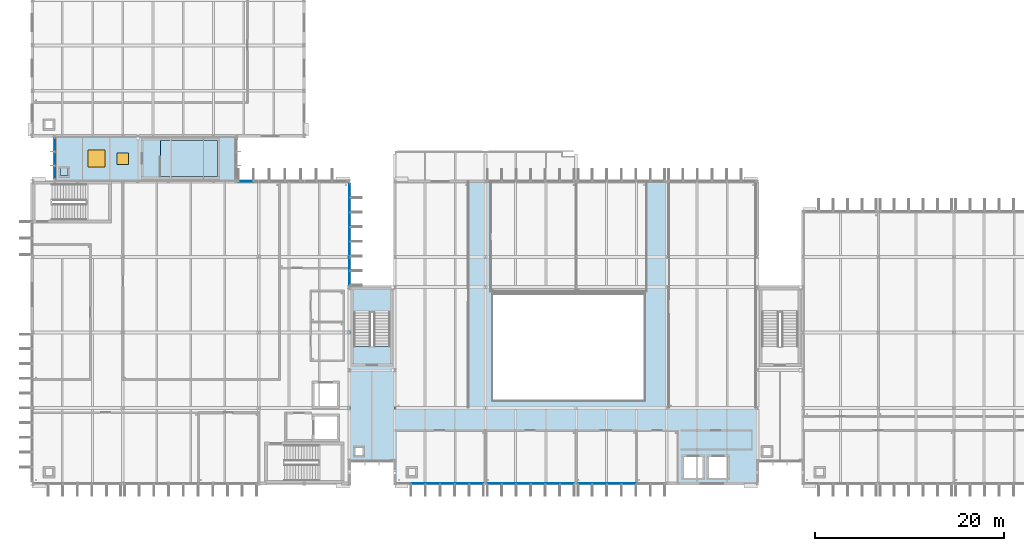
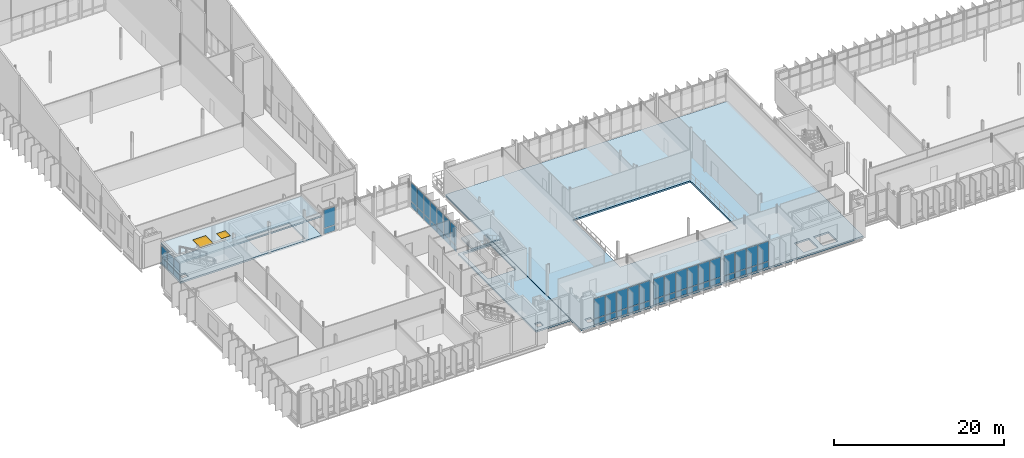
# One storey, part 40 of 93: 52 plates, 5 slabs, 2 windows, 2 openings, 7 elements without a shape of their own.
"""IFC4 building model written with IfcOpenShell, lengths in metres."""

from ifc_helpers import new_model, si_unit, direction, frame, origin, origin_2d, place, context, subcontext, project, spatial, polyline, rectangle, outline, extrude, material, layer, layer_set, type_object, element, fill, aggregate, save


model = new_model("IFC4")

# Units and contexts
model_context = context("Model", 3, precision=1e-05, world=origin(), true_north=direction((0.0, 1.0)))
body_context = subcontext(model_context, "Body", "Model", "MODEL_VIEW")
ifc_project = project(units=[si_unit("LENGTHUNIT", "METRE"), si_unit("AREAUNIT", "SQUARE_METRE"), si_unit("VOLUMEUNIT", "CUBIC_METRE"), si_unit("PLANEANGLEUNIT", "RADIAN"), si_unit("MASSUNIT", "GRAM", prefix="KILO")], contexts=[model_context])

# Site, building, storey
site_placement = place(None, origin())
site = spatial("IfcSite", under=ifc_project, at=site_placement, CompositionType="ELEMENT")
building_placement = place(site_placement, origin())
building = spatial("IfcBuilding", under=site, at=building_placement, Name="Dunescarp Central Library", CompositionType="ELEMENT")
storey_placement = place(building_placement, frame((0.0, 0.0, 14.10009765625)))
storey = spatial("IfcBuildingStorey", under=building, at=storey_placement, Name="L03", CompositionType="ELEMENT", Elevation=14.10009765625)

# Curtain wall, plate
ifc_material_1 = material(Name="Marine-grade anodised aluminium 6063-T6", Category="aluminium")
curtain_wall_type_1 = type_object("IfcCurtainWallType", Name="ARC-CW-STICK", PredefinedType="NOTDEFINED", material=ifc_material_1)
curtain_wall_1_placement = place(storey_placement, origin())
curtain_wall_1 = element("IfcCurtainWall", 1, at=curtain_wall_1_placement, inside=storey, type_object=curtain_wall_type_1, Name="L03 curtain wall CW-V1-020", PredefinedType="NOTDEFINED")
ifc_material_2 = material(Name="Solar-control laminated double glazing", Category="glass")
ifc_layer_1 = layer(ifc_material_2, 0.028076171875)
ifc_layer_set_1 = layer_set([ifc_layer_1], Name="Solar-control laminated double glazing")
plate_type_1 = type_object("IfcPlateType", Name="ARC-PLT-GLZ28", PredefinedType="CURTAIN_PANEL", material=ifc_layer_set_1)
plate_1_placement = place(storey_placement, frame((22.627197265625, 36.800048828125, 0.93994140625), z_axis=(0.0, 0.0, 1.0), x_axis=(1.0, 0.0, 0.0)))
plate_1 = element("IfcPlate", 2, at=plate_1_placement, type_object=plate_type_1, Name="CW-V1-020 panel 1.2", PredefinedType="CURTAIN_PANEL", context=body_context, shape_type="SweptSolid", body=[
    extrude(rectangle(XDim=1.544189453125, YDim=0.028076171875, at=origin_2d()), origin(), (0.0, 0.0, 1.0), 2.60498046875),
])

# Curtain wall, plates
curtain_wall_2_placement = place(storey_placement, origin())
curtain_wall_2 = element("IfcCurtainWall", 3, at=curtain_wall_2_placement, inside=storey, type_object=curtain_wall_type_1, Name="L03 curtain wall CW-V1-023", PredefinedType="NOTDEFINED")
plate_2_placement = place(storey_placement, frame((33.60009765625, 35.830078125, 0.93994140625), z_axis=(0.0, 0.0, 1.0), x_axis=(0.0, -1.0, 0.0)))
plate_2 = element("IfcPlate", 4, at=plate_2_placement, type_object=plate_type_1, Name="CW-V1-023 panel 1.2", PredefinedType="CURTAIN_PANEL", context=body_context, shape_type="SweptSolid", body=[
    extrude(rectangle(XDim=1.429931640625, YDim=0.028076171875, at=origin_2d()), origin(), (0.0, 0.0, 1.0), 2.655029296875),
])
plate_3_placement = place(storey_placement, frame((33.60009765625, 34.300048828125, 0.93994140625), z_axis=(0.0, 0.0, 1.0), x_axis=(0.0, -1.0, 0.0)))
plate_3 = element("IfcPlate", 5, at=plate_3_placement, type_object=plate_type_1, Name="CW-V1-023 panel 2.2", PredefinedType="CURTAIN_PANEL", context=body_context, shape_type="SweptSolid", body=[
    extrude(rectangle(XDim=1.469970703125, YDim=0.028076171875, at=origin_2d()), origin(), (0.0, 0.0, 1.0), 2.655029296875),
])
plate_4_placement = place(storey_placement, frame((33.60009765625, 32.75, 0.93994140625), z_axis=(0.0, 0.0, 1.0), x_axis=(0.0, -1.0, 0.0)))
plate_4 = element("IfcPlate", 6, at=plate_4_placement, type_object=plate_type_1, Name="CW-V1-023 panel 3.2", PredefinedType="CURTAIN_PANEL", context=body_context, shape_type="SweptSolid", body=[
    extrude(rectangle(XDim=1.469970703125, YDim=0.028076171875, at=origin_2d()), origin(), (0.0, 0.0, 1.0), 2.655029296875),
])
plate_5_placement = place(storey_placement, frame((33.60009765625, 31.199951171875, 0.93994140625), z_axis=(0.0, 0.0, 1.0), x_axis=(0.0, -1.0, 0.0)))
plate_5 = element("IfcPlate", 7, at=plate_5_placement, type_object=plate_type_1, Name="CW-V1-023 panel 4.2", PredefinedType="CURTAIN_PANEL", context=body_context, shape_type="SweptSolid", body=[
    extrude(rectangle(XDim=1.469970703125, YDim=0.028076171875, at=origin_2d()), origin(), (0.0, 0.0, 1.0), 2.655029296875),
])
plate_6_placement = place(storey_placement, frame((33.60009765625, 29.64990234375, 0.93994140625), z_axis=(0.0, 0.0, 1.0), x_axis=(0.0, -1.0, 0.0)))
plate_6 = element("IfcPlate", 8, at=plate_6_placement, type_object=plate_type_1, Name="CW-V1-023 panel 5.2", PredefinedType="CURTAIN_PANEL", context=body_context, shape_type="SweptSolid", body=[
    extrude(rectangle(XDim=1.469970703125, YDim=0.028076171875, at=origin_2d()), origin(), (0.0, 0.0, 1.0), 2.655029296875),
])
plate_7_placement = place(storey_placement, frame((33.60009765625, 28.10009765625, 0.93994140625), z_axis=(0.0, 0.0, 1.0), x_axis=(0.0, -1.0, 0.0)))
plate_7 = element("IfcPlate", 9, at=plate_7_placement, type_object=plate_type_1, Name="CW-V1-023 panel 6.2", PredefinedType="CURTAIN_PANEL", context=body_context, shape_type="SweptSolid", body=[
    extrude(rectangle(XDim=1.469970703125, YDim=0.028076171875, at=origin_2d()), origin(), (0.0, 0.0, 1.0), 2.655029296875),
])
plate_8_placement = place(storey_placement, frame((33.60009765625, 26.570068359375, 0.93994140625), z_axis=(0.0, 0.0, 1.0), x_axis=(0.0, -1.0, 0.0)))
plate_8 = element("IfcPlate", 10, at=plate_8_placement, type_object=plate_type_1, Name="CW-V1-023 panel 7.2", PredefinedType="CURTAIN_PANEL", context=body_context, shape_type="SweptSolid", body=[
    extrude(rectangle(XDim=1.429931640625, YDim=0.028076171875, at=origin_2d()), origin(), (0.0, 0.0, 1.0), 2.655029296875),
])

curtain_wall_3_placement = place(storey_placement, origin())
curtain_wall_3 = element("IfcCurtainWall", 11, at=curtain_wall_3_placement, inside=storey, type_object=curtain_wall_type_1, Name="L03 curtain wall CW-V2-061", PredefinedType="NOTDEFINED")
plate_9_placement = place(storey_placement, frame((47.0341796875, 4.800048828125, 0.93994140625), z_axis=(0.0, 0.0, 1.0), x_axis=(-1.0, 0.0, 0.0)))
plate_9 = element("IfcPlate", 12, at=plate_9_placement, type_object=plate_type_1, Name="CW-V2-061 panel 1.2", PredefinedType="CURTAIN_PANEL", context=body_context, shape_type="SweptSolid", body=[
    extrude(rectangle(XDim=1.421630859375, YDim=0.028076171875, at=origin_2d()), origin(), (0.0, 0.0, 1.0), 2.842041015625),
])
plate_10_placement = place(storey_placement, frame((45.512451171875, 4.800048828125, 0.93994140625), z_axis=(0.0, 0.0, 1.0), x_axis=(-1.0, 0.0, 0.0)))
plate_10 = element("IfcPlate", 13, at=plate_10_placement, type_object=plate_type_1, Name="CW-V2-061 panel 2.2", PredefinedType="CURTAIN_PANEL", context=body_context, shape_type="SweptSolid", body=[
    extrude(rectangle(XDim=1.461669921875, YDim=0.028076171875, at=origin_2d()), origin(), (0.0, 0.0, 1.0), 2.842041015625),
])
plate_11_placement = place(storey_placement, frame((43.970947265625, 4.800048828125, 0.93994140625), z_axis=(0.0, 0.0, 1.0), x_axis=(-1.0, 0.0, 0.0)))
plate_11 = element("IfcPlate", 14, at=plate_11_placement, type_object=plate_type_1, Name="CW-V2-061 panel 3.2", PredefinedType="CURTAIN_PANEL", context=body_context, shape_type="SweptSolid", body=[
    extrude(rectangle(XDim=1.461669921875, YDim=0.028076171875, at=origin_2d()), origin(), (0.0, 0.0, 1.0), 2.842041015625),
])
plate_12_placement = place(storey_placement, frame((42.42919921875, 4.800048828125, 0.93994140625), z_axis=(0.0, 0.0, 1.0), x_axis=(-1.0, 0.0, 0.0)))
plate_12 = element("IfcPlate", 15, at=plate_12_placement, type_object=plate_type_1, Name="CW-V2-061 panel 4.2", PredefinedType="CURTAIN_PANEL", context=body_context, shape_type="SweptSolid", body=[
    extrude(rectangle(XDim=1.461669921875, YDim=0.028076171875, at=origin_2d()), origin(), (0.0, 0.0, 1.0), 2.842041015625),
])
plate_13_placement = place(storey_placement, frame((40.887451171875, 4.800048828125, 0.93994140625), z_axis=(0.0, 0.0, 1.0), x_axis=(-1.0, 0.0, 0.0)))
plate_13 = element("IfcPlate", 16, at=plate_13_placement, type_object=plate_type_1, Name="CW-V2-061 panel 5.2", PredefinedType="CURTAIN_PANEL", context=body_context, shape_type="SweptSolid", body=[
    extrude(rectangle(XDim=1.461669921875, YDim=0.028076171875, at=origin_2d()), origin(), (0.0, 0.0, 1.0), 2.842041015625),
])

curtain_wall_4_placement = place(storey_placement, origin())
curtain_wall_4 = element("IfcCurtainWall", 17, at=curtain_wall_4_placement, inside=storey, type_object=curtain_wall_type_1, Name="L03 curtain wall CW-V2-062", PredefinedType="NOTDEFINED")
plate_14_placement = place(storey_placement, frame((56.63427734375, 4.800048828125, 0.93994140625), z_axis=(0.0, 0.0, 1.0), x_axis=(-1.0, 0.0, 0.0)))
plate_14 = element("IfcPlate", 18, at=plate_14_placement, type_object=plate_type_1, Name="CW-V2-062 panel 1.2", PredefinedType="CURTAIN_PANEL", context=body_context, shape_type="SweptSolid", body=[
    extrude(rectangle(XDim=1.421630859375, YDim=0.028076171875, at=origin_2d()), origin(), (0.0, 0.0, 1.0), 2.842041015625),
])
plate_15_placement = place(storey_placement, frame((55.112548828125, 4.800048828125, 0.93994140625), z_axis=(0.0, 0.0, 1.0), x_axis=(-1.0, 0.0, 0.0)))
plate_15 = element("IfcPlate", 19, at=plate_15_placement, type_object=plate_type_1, Name="CW-V2-062 panel 2.2", PredefinedType="CURTAIN_PANEL", context=body_context, shape_type="SweptSolid", body=[
    extrude(rectangle(XDim=1.461669921875, YDim=0.028076171875, at=origin_2d()), origin(), (0.0, 0.0, 1.0), 2.842041015625),
])
plate_16_placement = place(storey_placement, frame((53.57080078125, 4.800048828125, 0.93994140625), z_axis=(0.0, 0.0, 1.0), x_axis=(-1.0, 0.0, 0.0)))
plate_16 = element("IfcPlate", 20, at=plate_16_placement, type_object=plate_type_1, Name="CW-V2-062 panel 3.2", PredefinedType="CURTAIN_PANEL", context=body_context, shape_type="SweptSolid", body=[
    extrude(rectangle(XDim=1.461669921875, YDim=0.028076171875, at=origin_2d()), origin(), (0.0, 0.0, 1.0), 2.842041015625),
])
plate_17_placement = place(storey_placement, frame((52.029052734375, 4.800048828125, 0.93994140625), z_axis=(0.0, 0.0, 1.0), x_axis=(-1.0, 0.0, 0.0)))
plate_17 = element("IfcPlate", 21, at=plate_17_placement, type_object=plate_type_1, Name="CW-V2-062 panel 4.2", PredefinedType="CURTAIN_PANEL", context=body_context, shape_type="SweptSolid", body=[
    extrude(rectangle(XDim=1.461669921875, YDim=0.028076171875, at=origin_2d()), origin(), (0.0, 0.0, 1.0), 2.842041015625),
])
plate_18_placement = place(storey_placement, frame((50.487548828125, 4.800048828125, 0.93994140625), z_axis=(0.0, 0.0, 1.0), x_axis=(-1.0, 0.0, 0.0)))
plate_18 = element("IfcPlate", 22, at=plate_18_placement, type_object=plate_type_1, Name="CW-V2-062 panel 5.2", PredefinedType="CURTAIN_PANEL", context=body_context, shape_type="SweptSolid", body=[
    extrude(rectangle(XDim=1.461669921875, YDim=0.028076171875, at=origin_2d()), origin(), (0.0, 0.0, 1.0), 2.842041015625),
])
plate_19_placement = place(storey_placement, frame((48.9658203125, 4.800048828125, 0.93994140625), z_axis=(0.0, 0.0, 1.0), x_axis=(-1.0, 0.0, 0.0)))
plate_19 = element("IfcPlate", 23, at=plate_19_placement, type_object=plate_type_1, Name="CW-V2-062 panel 6.2", PredefinedType="CURTAIN_PANEL", context=body_context, shape_type="SweptSolid", body=[
    extrude(rectangle(XDim=1.421630859375, YDim=0.028076171875, at=origin_2d()), origin(), (0.0, 0.0, 1.0), 2.842041015625),
])

curtain_wall_5_placement = place(storey_placement, origin())
curtain_wall_5 = element("IfcCurtainWall", 24, at=curtain_wall_5_placement, inside=storey, type_object=curtain_wall_type_1, Name="L03 curtain wall CW-V2-063", PredefinedType="NOTDEFINED")
plate_20_placement = place(storey_placement, frame((63.1708984375, 4.800048828125, 0.93994140625), z_axis=(0.0, 0.0, 1.0), x_axis=(-1.0, 0.0, 0.0)))
plate_20 = element("IfcPlate", 25, at=plate_20_placement, type_object=plate_type_1, Name="CW-V2-063 panel 3.2", PredefinedType="CURTAIN_PANEL", context=body_context, shape_type="SweptSolid", body=[
    extrude(rectangle(XDim=1.461669921875, YDim=0.028076171875, at=origin_2d()), origin(), (0.0, 0.0, 1.0), 2.842041015625),
])
plate_21_placement = place(storey_placement, frame((61.629150390625, 4.800048828125, 0.93994140625), z_axis=(0.0, 0.0, 1.0), x_axis=(-1.0, 0.0, 0.0)))
plate_21 = element("IfcPlate", 26, at=plate_21_placement, type_object=plate_type_1, Name="CW-V2-063 panel 4.2", PredefinedType="CURTAIN_PANEL", context=body_context, shape_type="SweptSolid", body=[
    extrude(rectangle(XDim=1.461669921875, YDim=0.028076171875, at=origin_2d()), origin(), (0.0, 0.0, 1.0), 2.842041015625),
])
plate_22_placement = place(storey_placement, frame((60.08740234375, 4.800048828125, 0.93994140625), z_axis=(0.0, 0.0, 1.0), x_axis=(-1.0, 0.0, 0.0)))
plate_22 = element("IfcPlate", 27, at=plate_22_placement, type_object=plate_type_1, Name="CW-V2-063 panel 5.2", PredefinedType="CURTAIN_PANEL", context=body_context, shape_type="SweptSolid", body=[
    extrude(rectangle(XDim=1.461669921875, YDim=0.028076171875, at=origin_2d()), origin(), (0.0, 0.0, 1.0), 2.842041015625),
])
plate_23_placement = place(storey_placement, frame((58.56591796875, 4.800048828125, 0.93994140625), z_axis=(0.0, 0.0, 1.0), x_axis=(-1.0, 0.0, 0.0)))
plate_23 = element("IfcPlate", 28, at=plate_23_placement, type_object=plate_type_1, Name="CW-V2-063 panel 6.2", PredefinedType="CURTAIN_PANEL", context=body_context, shape_type="SweptSolid", body=[
    extrude(rectangle(XDim=1.421630859375, YDim=0.028076171875, at=origin_2d()), origin(), (0.0, 0.0, 1.0), 2.842041015625),
])

curtain_wall_type_2 = type_object("IfcCurtainWallType", Name="ARC-CW-LINK", PredefinedType="USERDEFINED", material=ifc_material_1)
curtain_wall_6_placement = place(storey_placement, origin())
curtain_wall_6 = element("IfcCurtainWall", 29, at=curtain_wall_6_placement, inside=storey, type_object=curtain_wall_type_2, Name="L03 curtain wall CW-GL4-W-L03", ObjectType="GLAZED_LINK_WALL", PredefinedType="USERDEFINED")
plate_24_placement = place(storey_placement, frame((2.39990234375, 37.736572265625, 0.93994140625), z_axis=(0.0, 0.0, 1.0), x_axis=(0.0, 1.0, 0.0)))
plate_24 = element("IfcPlate", 30, at=plate_24_placement, type_object=plate_type_1, Name="CW-GL4-W-L03 panel 1.2", PredefinedType="CURTAIN_PANEL", context=body_context, shape_type="SweptSolid", body=[
    extrude(rectangle(XDim=1.36328125, YDim=0.028076171875, at=origin_2d()), origin(), (0.0, 0.0, 1.0), 1.580078125),
])
plate_25_placement = place(storey_placement, frame((2.39990234375, 39.199951171875, 0.93994140625), z_axis=(0.0, 0.0, 1.0), x_axis=(0.0, 1.0, 0.0)))
plate_25 = element("IfcPlate", 31, at=plate_25_placement, type_object=plate_type_1, Name="CW-GL4-W-L03 panel 2.2", PredefinedType="CURTAIN_PANEL", context=body_context, shape_type="SweptSolid", body=[
    extrude(rectangle(XDim=1.4033203125, YDim=0.028076171875, at=origin_2d()), origin(), (0.0, 0.0, 1.0), 1.580078125),
])
plate_26_placement = place(storey_placement, frame((2.39990234375, 40.663330078125, 0.93994140625), z_axis=(0.0, 0.0, 1.0), x_axis=(0.0, 1.0, 0.0)))
plate_26 = element("IfcPlate", 32, at=plate_26_placement, type_object=plate_type_1, Name="CW-GL4-W-L03 panel 3.2", PredefinedType="CURTAIN_PANEL", context=body_context, shape_type="SweptSolid", body=[
    extrude(rectangle(XDim=1.36328125, YDim=0.028076171875, at=origin_2d()), origin(), (0.0, 0.0, 1.0), 1.580078125),
])

# Plate
ifc_layer_2 = layer(ifc_material_1, 0.050048828125)
ifc_layer_set_2 = layer_set([ifc_layer_2], Name="Marine-grade anodised aluminium 6063-T6")
plate_type_2 = type_object("IfcPlateType", Name="ARC-PLT-SPN50", PredefinedType="SHEET", material=ifc_layer_set_2)
plate_27_placement = place(storey_placement, frame((22.627197265625, 36.800048828125, 0.080078125), z_axis=(0.0, 0.0, 1.0), x_axis=(1.0, 0.0, 0.0)))
plate_27 = element("IfcPlate", 33, at=plate_27_placement, type_object=plate_type_2, Name="CW-V1-020 panel 1.1", PredefinedType="SHEET", context=body_context, shape_type="SweptSolid", body=[
    extrude(rectangle(XDim=1.544189453125, YDim=0.050048828125, at=origin_2d()), origin(), (0.0, 0.0, 1.0), 0.780029296875),
])

aggregate(curtain_wall_1, [plate_27, plate_1])

plate_28_placement = place(storey_placement, frame((33.60009765625, 35.830078125, 0.080078125), z_axis=(0.0, 0.0, 1.0), x_axis=(0.0, -1.0, 0.0)))
plate_28 = element("IfcPlate", 34, at=plate_28_placement, type_object=plate_type_2, Name="CW-V1-023 panel 1.1", PredefinedType="SHEET", context=body_context, shape_type="SweptSolid", body=[
    extrude(rectangle(XDim=1.429931640625, YDim=0.050048828125, at=origin_2d()), origin(), (0.0, 0.0, 1.0), 0.780029296875),
])

plate_29_placement = place(storey_placement, frame((33.60009765625, 34.300048828125, 0.080078125), z_axis=(0.0, 0.0, 1.0), x_axis=(0.0, -1.0, 0.0)))
plate_29 = element("IfcPlate", 35, at=plate_29_placement, type_object=plate_type_2, Name="CW-V1-023 panel 2.1", PredefinedType="SHEET", context=body_context, shape_type="SweptSolid", body=[
    extrude(rectangle(XDim=1.469970703125, YDim=0.050048828125, at=origin_2d()), origin(), (0.0, 0.0, 1.0), 0.780029296875),
])

plate_30_placement = place(storey_placement, frame((33.60009765625, 32.75, 0.080078125), z_axis=(0.0, 0.0, 1.0), x_axis=(0.0, -1.0, 0.0)))
plate_30 = element("IfcPlate", 36, at=plate_30_placement, type_object=plate_type_2, Name="CW-V1-023 panel 3.1", PredefinedType="SHEET", context=body_context, shape_type="SweptSolid", body=[
    extrude(rectangle(XDim=1.469970703125, YDim=0.050048828125, at=origin_2d()), origin(), (0.0, 0.0, 1.0), 0.780029296875),
])

plate_31_placement = place(storey_placement, frame((33.60009765625, 31.199951171875, 0.080078125), z_axis=(0.0, 0.0, 1.0), x_axis=(0.0, -1.0, 0.0)))
plate_31 = element("IfcPlate", 37, at=plate_31_placement, type_object=plate_type_2, Name="CW-V1-023 panel 4.1", PredefinedType="SHEET", context=body_context, shape_type="SweptSolid", body=[
    extrude(rectangle(XDim=1.469970703125, YDim=0.050048828125, at=origin_2d()), origin(), (0.0, 0.0, 1.0), 0.780029296875),
])

plate_32_placement = place(storey_placement, frame((33.60009765625, 29.64990234375, 0.080078125), z_axis=(0.0, 0.0, 1.0), x_axis=(0.0, -1.0, 0.0)))
plate_32 = element("IfcPlate", 38, at=plate_32_placement, type_object=plate_type_2, Name="CW-V1-023 panel 5.1", PredefinedType="SHEET", context=body_context, shape_type="SweptSolid", body=[
    extrude(rectangle(XDim=1.469970703125, YDim=0.050048828125, at=origin_2d()), origin(), (0.0, 0.0, 1.0), 0.780029296875),
])

plate_33_placement = place(storey_placement, frame((33.60009765625, 28.10009765625, 0.080078125), z_axis=(0.0, 0.0, 1.0), x_axis=(0.0, -1.0, 0.0)))
plate_33 = element("IfcPlate", 39, at=plate_33_placement, type_object=plate_type_2, Name="CW-V1-023 panel 6.1", PredefinedType="SHEET", context=body_context, shape_type="SweptSolid", body=[
    extrude(rectangle(XDim=1.469970703125, YDim=0.050048828125, at=origin_2d()), origin(), (0.0, 0.0, 1.0), 0.780029296875),
])

plate_34_placement = place(storey_placement, frame((33.60009765625, 26.570068359375, 0.080078125), z_axis=(0.0, 0.0, 1.0), x_axis=(0.0, -1.0, 0.0)))
plate_34 = element("IfcPlate", 40, at=plate_34_placement, type_object=plate_type_2, Name="CW-V1-023 panel 7.1", PredefinedType="SHEET", context=body_context, shape_type="SweptSolid", body=[
    extrude(rectangle(XDim=1.429931640625, YDim=0.050048828125, at=origin_2d()), origin(), (0.0, 0.0, 1.0), 0.780029296875),
])

aggregate(curtain_wall_2, [plate_28, plate_2, plate_29, plate_3, plate_30, plate_4, plate_31, plate_5, plate_32, plate_6, plate_33, plate_7, plate_34, plate_8])

plate_35_placement = place(storey_placement, frame((47.0341796875, 4.800048828125, 0.080078125), z_axis=(0.0, 0.0, 1.0), x_axis=(-1.0, 0.0, 0.0)))
plate_35 = element("IfcPlate", 41, at=plate_35_placement, type_object=plate_type_2, Name="CW-V2-061 panel 1.1", PredefinedType="SHEET", context=body_context, shape_type="SweptSolid", body=[
    extrude(rectangle(XDim=1.421630859375, YDim=0.050048828125, at=origin_2d()), origin(), (0.0, 0.0, 1.0), 0.780029296875),
])

plate_36_placement = place(storey_placement, frame((45.512451171875, 4.800048828125, 0.080078125), z_axis=(0.0, 0.0, 1.0), x_axis=(-1.0, 0.0, 0.0)))
plate_36 = element("IfcPlate", 42, at=plate_36_placement, type_object=plate_type_2, Name="CW-V2-061 panel 2.1", PredefinedType="SHEET", context=body_context, shape_type="SweptSolid", body=[
    extrude(rectangle(XDim=1.461669921875, YDim=0.050048828125, at=origin_2d()), origin(), (0.0, 0.0, 1.0), 0.780029296875),
])

plate_37_placement = place(storey_placement, frame((43.970947265625, 4.800048828125, 0.080078125), z_axis=(0.0, 0.0, 1.0), x_axis=(-1.0, 0.0, 0.0)))
plate_37 = element("IfcPlate", 43, at=plate_37_placement, type_object=plate_type_2, Name="CW-V2-061 panel 3.1", PredefinedType="SHEET", context=body_context, shape_type="SweptSolid", body=[
    extrude(rectangle(XDim=1.461669921875, YDim=0.050048828125, at=origin_2d()), origin(), (0.0, 0.0, 1.0), 0.780029296875),
])

plate_38_placement = place(storey_placement, frame((42.42919921875, 4.800048828125, 0.080078125), z_axis=(0.0, 0.0, 1.0), x_axis=(-1.0, 0.0, 0.0)))
plate_38 = element("IfcPlate", 44, at=plate_38_placement, type_object=plate_type_2, Name="CW-V2-061 panel 4.1", PredefinedType="SHEET", context=body_context, shape_type="SweptSolid", body=[
    extrude(rectangle(XDim=1.461669921875, YDim=0.050048828125, at=origin_2d()), origin(), (0.0, 0.0, 1.0), 0.780029296875),
])

plate_39_placement = place(storey_placement, frame((40.887451171875, 4.800048828125, 0.080078125), z_axis=(0.0, 0.0, 1.0), x_axis=(-1.0, 0.0, 0.0)))
plate_39 = element("IfcPlate", 45, at=plate_39_placement, type_object=plate_type_2, Name="CW-V2-061 panel 5.1", PredefinedType="SHEET", context=body_context, shape_type="SweptSolid", body=[
    extrude(rectangle(XDim=1.461669921875, YDim=0.050048828125, at=origin_2d()), origin(), (0.0, 0.0, 1.0), 0.780029296875),
])

aggregate(curtain_wall_3, [plate_35, plate_9, plate_36, plate_10, plate_37, plate_11, plate_38, plate_12, plate_39, plate_13])

plate_40_placement = place(storey_placement, frame((56.63427734375, 4.800048828125, 0.080078125), z_axis=(0.0, 0.0, 1.0), x_axis=(-1.0, 0.0, 0.0)))
plate_40 = element("IfcPlate", 46, at=plate_40_placement, type_object=plate_type_2, Name="CW-V2-062 panel 1.1", PredefinedType="SHEET", context=body_context, shape_type="SweptSolid", body=[
    extrude(rectangle(XDim=1.421630859375, YDim=0.050048828125, at=origin_2d()), origin(), (0.0, 0.0, 1.0), 0.780029296875),
])

plate_41_placement = place(storey_placement, frame((55.112548828125, 4.800048828125, 0.080078125), z_axis=(0.0, 0.0, 1.0), x_axis=(-1.0, 0.0, 0.0)))
plate_41 = element("IfcPlate", 47, at=plate_41_placement, type_object=plate_type_2, Name="CW-V2-062 panel 2.1", PredefinedType="SHEET", context=body_context, shape_type="SweptSolid", body=[
    extrude(rectangle(XDim=1.461669921875, YDim=0.050048828125, at=origin_2d()), origin(), (0.0, 0.0, 1.0), 0.780029296875),
])

plate_42_placement = place(storey_placement, frame((53.57080078125, 4.800048828125, 0.080078125), z_axis=(0.0, 0.0, 1.0), x_axis=(-1.0, 0.0, 0.0)))
plate_42 = element("IfcPlate", 48, at=plate_42_placement, type_object=plate_type_2, Name="CW-V2-062 panel 3.1", PredefinedType="SHEET", context=body_context, shape_type="SweptSolid", body=[
    extrude(rectangle(XDim=1.461669921875, YDim=0.050048828125, at=origin_2d()), origin(), (0.0, 0.0, 1.0), 0.780029296875),
])

plate_43_placement = place(storey_placement, frame((52.029052734375, 4.800048828125, 0.080078125), z_axis=(0.0, 0.0, 1.0), x_axis=(-1.0, 0.0, 0.0)))
plate_43 = element("IfcPlate", 49, at=plate_43_placement, type_object=plate_type_2, Name="CW-V2-062 panel 4.1", PredefinedType="SHEET", context=body_context, shape_type="SweptSolid", body=[
    extrude(rectangle(XDim=1.461669921875, YDim=0.050048828125, at=origin_2d()), origin(), (0.0, 0.0, 1.0), 0.780029296875),
])

plate_44_placement = place(storey_placement, frame((50.487548828125, 4.800048828125, 0.080078125), z_axis=(0.0, 0.0, 1.0), x_axis=(-1.0, 0.0, 0.0)))
plate_44 = element("IfcPlate", 50, at=plate_44_placement, type_object=plate_type_2, Name="CW-V2-062 panel 5.1", PredefinedType="SHEET", context=body_context, shape_type="SweptSolid", body=[
    extrude(rectangle(XDim=1.461669921875, YDim=0.050048828125, at=origin_2d()), origin(), (0.0, 0.0, 1.0), 0.780029296875),
])

plate_45_placement = place(storey_placement, frame((48.9658203125, 4.800048828125, 0.080078125), z_axis=(0.0, 0.0, 1.0), x_axis=(-1.0, 0.0, 0.0)))
plate_45 = element("IfcPlate", 51, at=plate_45_placement, type_object=plate_type_2, Name="CW-V2-062 panel 6.1", PredefinedType="SHEET", context=body_context, shape_type="SweptSolid", body=[
    extrude(rectangle(XDim=1.421630859375, YDim=0.050048828125, at=origin_2d()), origin(), (0.0, 0.0, 1.0), 0.780029296875),
])

aggregate(curtain_wall_4, [plate_40, plate_14, plate_41, plate_15, plate_42, plate_16, plate_43, plate_17, plate_44, plate_18, plate_45, plate_19])

plate_46_placement = place(storey_placement, frame((63.1708984375, 4.800048828125, 0.080078125), z_axis=(0.0, 0.0, 1.0), x_axis=(-1.0, 0.0, 0.0)))
plate_46 = element("IfcPlate", 52, at=plate_46_placement, type_object=plate_type_2, Name="CW-V2-063 panel 3.1", PredefinedType="SHEET", context=body_context, shape_type="SweptSolid", body=[
    extrude(rectangle(XDim=1.461669921875, YDim=0.050048828125, at=origin_2d()), origin(), (0.0, 0.0, 1.0), 0.780029296875),
])

plate_47_placement = place(storey_placement, frame((61.629150390625, 4.800048828125, 0.080078125), z_axis=(0.0, 0.0, 1.0), x_axis=(-1.0, 0.0, 0.0)))
plate_47 = element("IfcPlate", 53, at=plate_47_placement, type_object=plate_type_2, Name="CW-V2-063 panel 4.1", PredefinedType="SHEET", context=body_context, shape_type="SweptSolid", body=[
    extrude(rectangle(XDim=1.461669921875, YDim=0.050048828125, at=origin_2d()), origin(), (0.0, 0.0, 1.0), 0.780029296875),
])

plate_48_placement = place(storey_placement, frame((60.08740234375, 4.800048828125, 0.080078125), z_axis=(0.0, 0.0, 1.0), x_axis=(-1.0, 0.0, 0.0)))
plate_48 = element("IfcPlate", 54, at=plate_48_placement, type_object=plate_type_2, Name="CW-V2-063 panel 5.1", PredefinedType="SHEET", context=body_context, shape_type="SweptSolid", body=[
    extrude(rectangle(XDim=1.461669921875, YDim=0.050048828125, at=origin_2d()), origin(), (0.0, 0.0, 1.0), 0.780029296875),
])

plate_49_placement = place(storey_placement, frame((58.56591796875, 4.800048828125, 0.080078125), z_axis=(0.0, 0.0, 1.0), x_axis=(-1.0, 0.0, 0.0)))
plate_49 = element("IfcPlate", 55, at=plate_49_placement, type_object=plate_type_2, Name="CW-V2-063 panel 6.1", PredefinedType="SHEET", context=body_context, shape_type="SweptSolid", body=[
    extrude(rectangle(XDim=1.421630859375, YDim=0.050048828125, at=origin_2d()), origin(), (0.0, 0.0, 1.0), 0.780029296875),
])

aggregate(curtain_wall_5, [plate_46, plate_20, plate_47, plate_21, plate_48, plate_22, plate_49, plate_23])

plate_50_placement = place(storey_placement, frame((2.39990234375, 37.736572265625, 0.080078125), z_axis=(0.0, 0.0, 1.0), x_axis=(0.0, 1.0, 0.0)))
plate_50 = element("IfcPlate", 56, at=plate_50_placement, type_object=plate_type_2, Name="CW-GL4-W-L03 panel 1.1", PredefinedType="SHEET", context=body_context, shape_type="SweptSolid", body=[
    extrude(rectangle(XDim=1.36328125, YDim=0.050048828125, at=origin_2d()), origin(), (0.0, 0.0, 1.0), 0.780029296875),
])

plate_51_placement = place(storey_placement, frame((2.39990234375, 39.199951171875, 0.080078125), z_axis=(0.0, 0.0, 1.0), x_axis=(0.0, 1.0, 0.0)))
plate_51 = element("IfcPlate", 57, at=plate_51_placement, type_object=plate_type_2, Name="CW-GL4-W-L03 panel 2.1", PredefinedType="SHEET", context=body_context, shape_type="SweptSolid", body=[
    extrude(rectangle(XDim=1.4033203125, YDim=0.050048828125, at=origin_2d()), origin(), (0.0, 0.0, 1.0), 0.780029296875),
])

plate_52_placement = place(storey_placement, frame((2.39990234375, 40.663330078125, 0.080078125), z_axis=(0.0, 0.0, 1.0), x_axis=(0.0, 1.0, 0.0)))
plate_52 = element("IfcPlate", 58, at=plate_52_placement, type_object=plate_type_2, Name="CW-GL4-W-L03 panel 3.1", PredefinedType="SHEET", context=body_context, shape_type="SweptSolid", body=[
    extrude(rectangle(XDim=1.36328125, YDim=0.050048828125, at=origin_2d()), origin(), (0.0, 0.0, 1.0), 0.780029296875),
])

aggregate(curtain_wall_6, [plate_50, plate_24, plate_51, plate_25, plate_52, plate_26])

# Stair, slab
ifc_material_3 = material(Name="Concrete C35/45", Category="concrete")
stair_type = type_object("IfcStairType", Name="ARC-STR-TYP", PredefinedType="HALF_TURN_STAIR", material=ifc_material_3)
stair_placement = place(storey_placement, origin())
stair = element("IfcStair", 59, at=stair_placement, inside=storey, type_object=stair_type, Name="L03 Protected escape stair ST-2", PredefinedType="HALF_TURN_STAIR")
ifc_layer_3 = layer(ifc_material_3, 0.199951171875)
ifc_layer_set_3 = layer_set([ifc_layer_3], Name="Concrete C35/45")
slab_type_1 = type_object("IfcSlabType", Name="STR-SLB-LAND200", PredefinedType="LANDING", material=ifc_layer_set_3)
slab_1_placement = place(storey_placement, frame((0.0, 0.0, 2.0498046875)))
slab_1 = element("IfcSlab", 60, at=slab_1_placement, type_object=slab_type_1, Name="ST-2 landing 1", PredefinedType="LANDING", context=body_context, shape_type="SweptSolid", body=[
    extrude(outline(polyline([(33.949951171875, 22.885009765625), (38.050048828125, 22.885009765625), (38.050048828125, 25.449951171875), (33.949951171875, 25.449951171875), (33.949951171875, 22.885009765625)])), origin(), (0.0, 0.0, 1.0), 0.2001953125),
])
aggregate(stair, [slab_1])

# Slab, openings, windows
ifc_layer_4 = layer(ifc_material_3, 0.199951171875)
ifc_layer_set_4 = layer_set([ifc_layer_4], Name="Concrete C35/45")
slab_type_2 = type_object("IfcSlabType", Name="STR-SLB-ROOF200", PredefinedType="ROOF", material=ifc_layer_set_4)
slab_2_placement = place(storey_placement, frame((0.0, 0.0, 2.60986328125)))
slab_2 = element("IfcSlab", 61, at=slab_2_placement, inside=storey, type_object=slab_type_2, Name="L03 flat roof slab GL4", PredefinedType="ROOF", context=body_context, shape_type="SweptSolid", body=[
    extrude(outline(polyline([(2.39990234375, 36.85009765625), (21.60009765625, 36.85009765625), (21.60009765625, 41.550048828125), (2.39990234375, 41.550048828125), (2.39990234375, 36.85009765625)])), origin(), (0.0, 0.0, 1.0), 0.239990234375),
])
opening_1_placement = place(slab_2_placement, frame((6.800048828125, 39.199951171875, -0.010009765625)))
opening_1 = element("IfcOpeningElement", 62, at=opening_1_placement, cuts=slab_2, Name="Opening SKY-04", PredefinedType="OPENING", context=body_context, shape_type="SweptSolid", body=[
    extrude(rectangle(XDim=1.800048828125, YDim=1.800048828125, at=origin_2d()), origin(), (0.0, 0.0, 1.0), 0.260009765625),
])
opening_2_placement = place(slab_2_placement, frame((9.60009765625, 39.199951171875, -0.010009765625)))
opening_2 = element("IfcOpeningElement", 63, at=opening_2_placement, cuts=slab_2, Name="Opening SKY-14", PredefinedType="OPENING", context=body_context, shape_type="SweptSolid", body=[
    extrude(rectangle(XDim=1.199951171875, YDim=1.199951171875, at=origin_2d()), origin(), (0.0, 0.0, 1.0), 0.260009765625),
])
window_type_1 = type_object("IfcWindowType", Name="ARC-WN-SKY1200", PartitioningType="SINGLE_PANEL", PredefinedType="SKYLIGHT", material=ifc_material_2)
window_1_placement = place(slab_2_placement, frame((9.60009765625, 39.199951171875, 0.18994140625)))
window_1 = element("IfcWindow", 64, at=window_1_placement, inside=storey, type_object=window_type_1, Name="L03 roof smoke-vent skylight SKY-14", OverallHeight=1.199951171875, OverallWidth=1.199951171875, PartitioningType="SINGLE_PANEL", PredefinedType="SKYLIGHT", context=body_context, shape_type="SweptSolid", body=[
    extrude(rectangle(XDim=1.199951171875, YDim=1.199951171875, at=origin_2d()), origin(), (0.0, 0.0, 1.0), 0.050048828125),
])
fill(opening_2, window_1)
window_type_2 = type_object("IfcWindowType", Name="ARC-WN-SKY1800", PartitioningType="SINGLE_PANEL", PredefinedType="SKYLIGHT", material=ifc_material_2)
window_2_placement = place(slab_2_placement, frame((6.800048828125, 39.199951171875, 0.18994140625)))
window_2 = element("IfcWindow", 65, at=window_2_placement, inside=storey, type_object=window_type_2, Name="L03 roof skylight SKY-04", OverallHeight=1.800048828125, OverallWidth=1.800048828125, PartitioningType="SINGLE_PANEL", PredefinedType="SKYLIGHT", context=body_context, shape_type="SweptSolid", body=[
    extrude(rectangle(XDim=1.800048828125, YDim=1.800048828125, at=origin_2d()), origin(), (0.0, 0.0, 1.0), 0.050048828125),
])
fill(opening_1, window_2)

# Slabs
ifc_layer_5 = layer(ifc_material_3, 0.239990234375)
ifc_layer_set_5 = layer_set([ifc_layer_5], Name="Concrete C35/45")
slab_type_3 = type_object("IfcSlabType", Name="STR-SLB-STACK240", PredefinedType="FLOOR", material=ifc_layer_set_5)
slab_3_placement = place(storey_placement, frame((0.0, 0.0, -0.239990234375)))
element("IfcSlab", 66, at=slab_3_placement, inside=storey, type_object=slab_type_3, Name="L03 V2 slab", PredefinedType="FLOOR", context=body_context, shape_type="SweptSolid", body=[
    extrude(outline(polyline([(38.39990234375, 4.800048828125), (76.800048828125, 4.800048828125), (76.800048828125, 36.800048828125), (38.39990234375, 36.800048828125), (38.39990234375, 4.800048828125)]), holes=[polyline([(69.0, 5.39990234375), (71.0, 5.39990234375), (71.0, 7.60009765625), (69.0, 7.60009765625), (69.0, 5.39990234375)]), polyline([(71.64990234375, 5.39990234375), (73.64990234375, 5.39990234375), (73.64990234375, 7.60009765625), (71.64990234375, 7.60009765625), (71.64990234375, 5.39990234375)]), polyline([(48.800048828125, 13.60009765625), (64.800048828125, 13.60009765625), (64.800048828125, 24.800048828125), (48.800048828125, 24.800048828125), (48.800048828125, 13.60009765625)]), polyline([(39.800048828125, 5.60009765625), (40.60009765625, 5.60009765625), (40.60009765625, 6.39990234375), (39.800048828125, 6.39990234375), (39.800048828125, 5.60009765625)])]), origin(), (0.0, 0.0, 1.0), 0.239990234375),
])
slab_4_placement = place(storey_placement, frame((0.0, 0.0, -0.239990234375)))
element("IfcSlab", 67, at=slab_4_placement, inside=storey, type_object=slab_type_3, Name="L03 GL1 slab", PredefinedType="FLOOR", context=body_context, shape_type="SweptSolid", body=[
    extrude(outline(polyline([(33.64990234375, 7.199951171875), (38.35009765625, 7.199951171875), (38.35009765625, 25.60009765625), (33.64990234375, 25.60009765625), (33.64990234375, 7.199951171875)]), holes=[polyline([(34.10009765625, 19.31494140625), (37.89990234375, 19.31494140625), (37.89990234375, 25.300048828125), (34.10009765625, 25.300048828125), (34.10009765625, 19.31494140625)]), polyline([(34.199951171875, 7.800048828125), (35.0, 7.800048828125), (35.0, 8.60009765625), (34.199951171875, 8.60009765625), (34.199951171875, 7.800048828125)])]), origin(), (0.0, 0.0, 1.0), 0.239990234375),
])
slab_5_placement = place(storey_placement, frame((0.0, 0.0, -0.239990234375)))
element("IfcSlab", 68, at=slab_5_placement, inside=storey, type_object=slab_type_3, Name="L03 GL4 slab", PredefinedType="FLOOR", context=body_context, shape_type="SweptSolid", body=[
    extrude(outline(polyline([(2.39990234375, 36.85009765625), (21.60009765625, 36.85009765625), (21.60009765625, 41.550048828125), (2.39990234375, 41.550048828125), (2.39990234375, 36.85009765625)]), holes=[polyline([(13.614990234375, 37.300048828125), (19.60009765625, 37.300048828125), (19.60009765625, 41.10009765625), (13.614990234375, 41.10009765625), (13.614990234375, 37.300048828125)]), polyline([(3.0, 37.39990234375), (3.800048828125, 37.39990234375), (3.800048828125, 38.199951171875), (3.0, 38.199951171875), (3.0, 37.39990234375)])]), origin(), (0.0, 0.0, 1.0), 0.239990234375),
])

save(model, "model.ifc")
